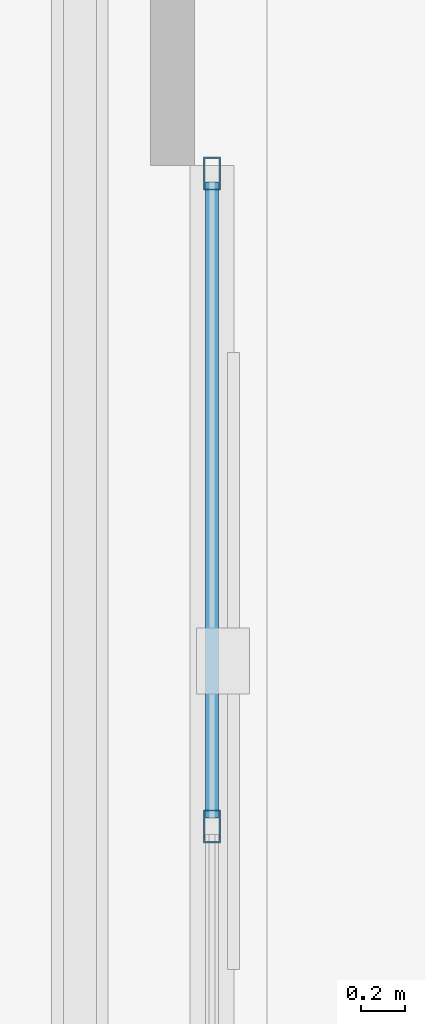
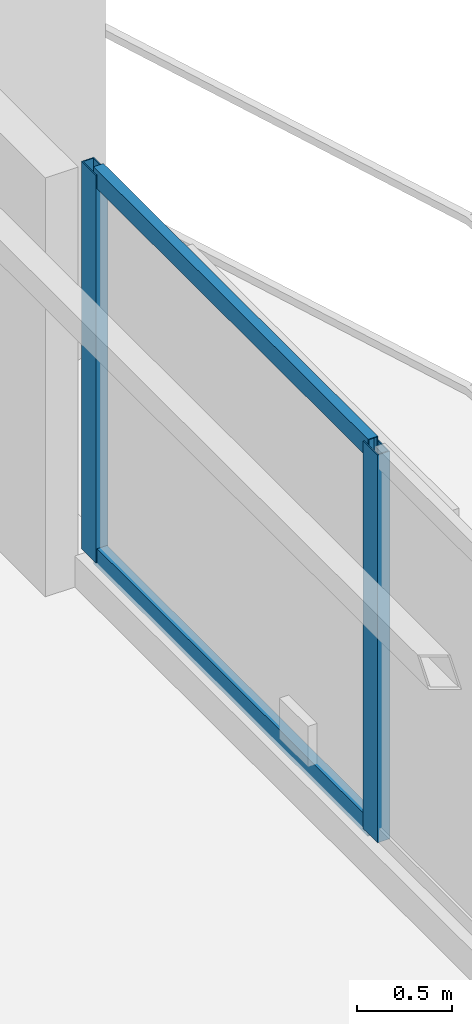
# One storey, part 13 of 22: 4 members, 1 element without a shape of its own.
"""IFC4 building model written with IfcOpenShell, lengths in metres."""

from ifc_helpers import new_model, si_unit, direction, frame, origin, origin_2d, place, context, subcontext, project, spatial, hollow_rectangle, extrude, material, layer, layer_set, material_profile, profile_set, type_object, element, aggregate, save


model = new_model("IFC4")

# Units and contexts
model_context = context("Model", 3, precision=1e-05, world=origin(), true_north=direction((0.0, 1.0)))
body_context = subcontext(model_context, "Body", "Model", "MODEL_VIEW")
ifc_project = project(units=[si_unit("LENGTHUNIT", "METRE"), si_unit("AREAUNIT", "SQUARE_METRE"), si_unit("VOLUMEUNIT", "CUBIC_METRE"), si_unit("PLANEANGLEUNIT", "RADIAN"), si_unit("MASSUNIT", "GRAM", prefix="KILO")], contexts=[model_context])

# Site, building, storey
site_placement = place(None, origin())
site = spatial("IfcSite", under=ifc_project, at=site_placement, CompositionType="ELEMENT")
building_placement = place(site_placement, origin())
building = spatial("IfcBuilding", under=site, at=building_placement, Name="Mersakhor Tower and Convention Hall", CompositionType="ELEMENT")
storey_placement = place(building_placement, frame((0.0, 0.0, 205.199951171875)))
storey = spatial("IfcBuildingStorey", under=building, at=storey_placement, Name="L57", CompositionType="ELEMENT", Elevation=205.199951171875)

# Curtain wall, members
ifc_material_1 = material(Name="Dark solar low-E aluminium curtain wall", Category="aluminium")
ifc_layer = layer(ifc_material_1, 0.169921875)
ifc_layer_set = layer_set([ifc_layer], Name="Dark solar low-E aluminium curtain wall")
curtain_wall_type = type_object("IfcCurtainWallType", Name="CW-SYS-02", PredefinedType="USERDEFINED", material=ifc_layer_set)
curtain_wall_placement = place(storey_placement, origin())
curtain_wall = element("IfcCurtainWall", 1, at=curtain_wall_placement, inside=storey, type_object=curtain_wall_type, Name="L57 Dark-Glass Curtain Wall F2-B2", ObjectType="CURTAIN WALL", PredefinedType="USERDEFINED")
ifc_material_2 = material(Name="Anodised aluminium EN AW-6063 T6", Category="aluminium")
ifc_material_profile_1 = material_profile(ifc_material_2, hollow_rectangle(XDim=0.074951171875, YDim=0.14990234375, WallThickness=0.00634765625, at=origin_2d()), Name="RHS 150x75x6.3")
ifc_profile_set_1 = profile_set([ifc_material_profile_1], Name="Anodised aluminium EN AW-6063 T6")
member_type_1 = type_object("IfcMemberType", Name="CWM-150x75", PredefinedType="MULLION", material=ifc_profile_set_1)
member_1_placement = place(storey_placement, frame((40.58837890625, 31.2119140625, 0.199951171875), z_axis=(0.0, 0.0, 1.0), x_axis=(1.0, 0.0, 0.0)))
member_1 = element("IfcMember", 2, at=member_1_placement, type_object=member_type_1, Name="CW-02 mullion 1", PredefinedType="MULLION", context=body_context, shape_type="SweptSolid", body=[
    extrude(hollow_rectangle(XDim=0.074951171875, YDim=0.14990234375, WallThickness=0.00634765625, at=origin_2d()), origin(), (0.0, 0.0, 1.0), 2.489990234375),
])
member_2_placement = place(storey_placement, frame((40.58837890625, 28.249755859375, 0.199951171875), z_axis=(0.0, 0.0, 1.0), x_axis=(1.0, 0.0, 0.0)))
member_2 = element("IfcMember", 3, at=member_2_placement, type_object=member_type_1, Name="CW-02 mullion 2", PredefinedType="MULLION", context=body_context, shape_type="SweptSolid", body=[
    extrude(hollow_rectangle(XDim=0.074951171875, YDim=0.14990234375, WallThickness=0.00634765625, at=origin_2d()), origin(), (0.0, 0.0, 1.0), 2.489990234375),
])
ifc_material_3 = material(Name="Anodised aluminium EN AW-6063 T6", Category="aluminium")
ifc_material_profile_2 = material_profile(ifc_material_3, hollow_rectangle(XDim=0.06005859375, YDim=0.1201171875, WallThickness=0.0048828125, at=origin_2d()), Name="RHS 120x60x5")
ifc_profile_set_2 = profile_set([ifc_material_profile_2], Name="Anodised aluminium EN AW-6063 T6")
member_type_2 = type_object("IfcMemberType", Name="CWT-120x60", PredefinedType="USERDEFINED", material=ifc_profile_set_2)
member_3_placement = place(storey_placement, frame((40.58837890625, 31.174560546875, 0.22998046875), z_axis=(0.0, -1.0, 0.0), x_axis=(1.0, 0.0, 0.0)))
member_3 = element("IfcMember", 4, at=member_3_placement, type_object=member_type_2, Name="CW-02 transom 1.1", ObjectType="TRANSOM", PredefinedType="USERDEFINED", context=body_context, shape_type="SweptSolid", body=[
    extrude(hollow_rectangle(XDim=0.06005859375, YDim=0.1201171875, WallThickness=0.0048828125, at=origin_2d()), origin(), (0.0, 0.0, 1.0), 2.88720703125),
])
member_4_placement = place(storey_placement, frame((40.58837890625, 31.174560546875, 2.66015625), z_axis=(0.0, -1.0, 0.0), x_axis=(1.0, 0.0, 0.0)))
member_4 = element("IfcMember", 5, at=member_4_placement, type_object=member_type_2, Name="CW-02 transom 1.2", ObjectType="TRANSOM", PredefinedType="USERDEFINED", context=body_context, shape_type="SweptSolid", body=[
    extrude(hollow_rectangle(XDim=0.06005859375, YDim=0.1201171875, WallThickness=0.0048828125, at=origin_2d()), origin(), (0.0, 0.0, 1.0), 2.88720703125),
])
aggregate(curtain_wall, [member_1, member_2, member_3, member_4])

save(model, "model.ifc")
